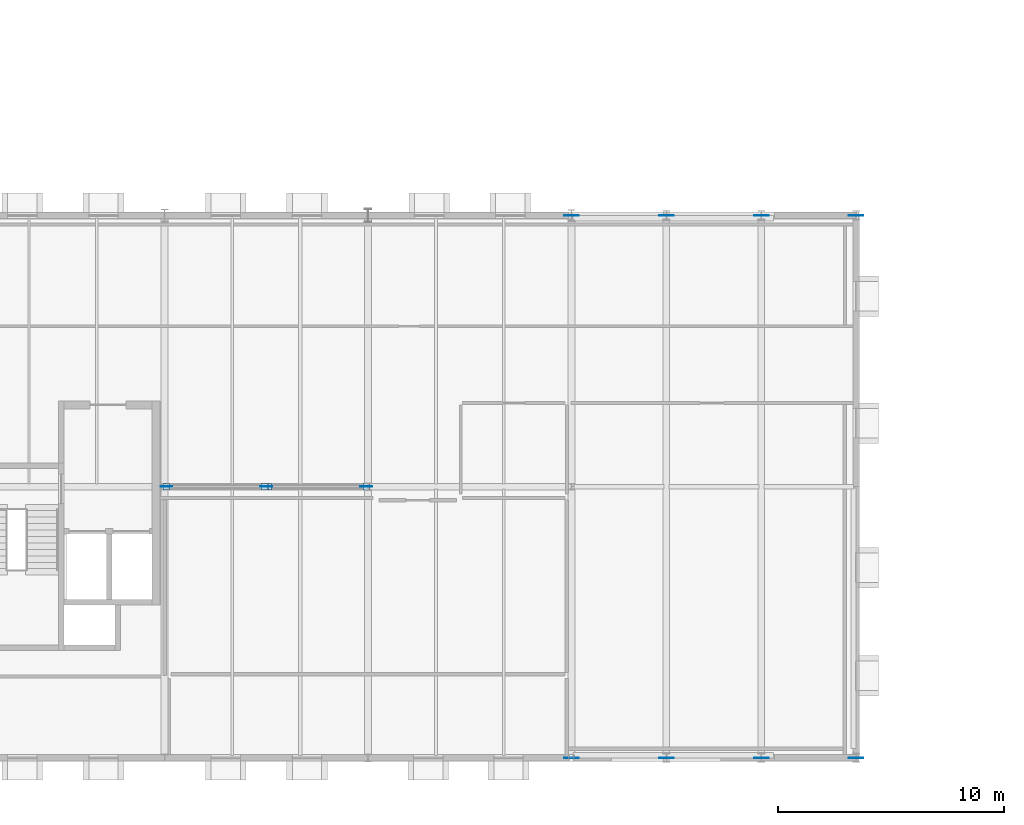
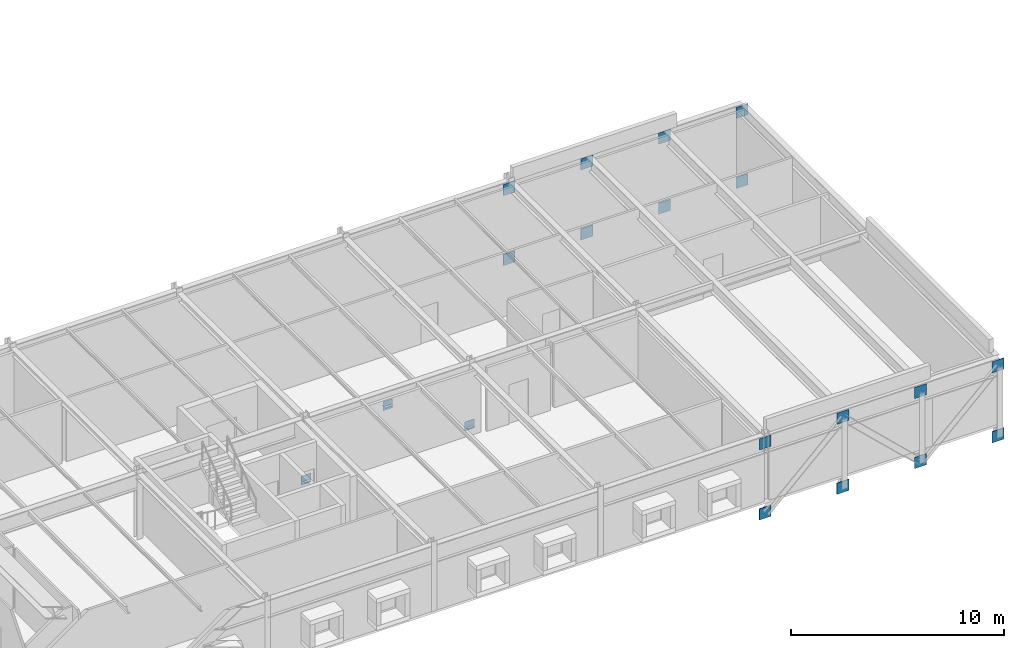
# One storey, part 20 of 36: 23 plates.
"""IFC4 building model written with IfcOpenShell, lengths in metres."""

from ifc_helpers import new_model, si_unit, direction, frame, origin, origin_2d, place, context, subcontext, project, spatial, rectangle, extrude, material, layer, layer_set, type_object, element, save


model = new_model("IFC4")

# Units and contexts
model_context = context("Model", 3, precision=1e-05, world=origin(), true_north=direction((0.0, 1.0)))
body_context = subcontext(model_context, "Body", "Model", "MODEL_VIEW")
ifc_project = project(units=[si_unit("LENGTHUNIT", "METRE"), si_unit("AREAUNIT", "SQUARE_METRE"), si_unit("VOLUMEUNIT", "CUBIC_METRE"), si_unit("PLANEANGLEUNIT", "RADIAN"), si_unit("MASSUNIT", "GRAM", prefix="KILO")], contexts=[model_context])

# Site, building, storey
site_placement = place(None, origin())
site = spatial("IfcSite", under=ifc_project, at=site_placement, CompositionType="ELEMENT")
building_placement = place(site_placement, origin())
building = spatial("IfcBuilding", under=site, at=building_placement, Name="Montelvaro Courts of Justice", CompositionType="ELEMENT")
storey_placement = place(building_placement, frame((0.0, 0.0, 23.39990234375)))
storey = spatial("IfcBuildingStorey", under=building, at=storey_placement, Name="L05", CompositionType="ELEMENT", Elevation=23.39990234375)

# Plates
ifc_material = material(Name="Steel S355", Category="steel")
ifc_layer_1 = layer(ifc_material, 0.011962890625)
ifc_layer_set_1 = layer_set([ifc_layer_1], Name="Steel S355")
plate_type_1 = type_object("IfcPlateType", Name="EndCapPlate_12", PredefinedType="USERDEFINED", material=ifc_layer_set_1)
for number, where, z_axis, x_axis, name in (
    (1, (117.080078125, 12.0, 0.07421875), (0.0, 0.0, 1.0), (1.0, 0.0, 0.0), "Brace End Cap Plate CP-01 CBF2-L05-1A"),
    (2, (121.419921875, 12.0, 2.82421875), (0.0, 0.0, 1.0), (1.0, 0.0, 0.0), "Brace End Cap Plate CP-01 CBF2-L05-1B"),
    (3, (125.919921875, 12.0, 0.07421875), (0.0, 0.0, 1.0), (1.0, 0.0, 0.0), "Brace End Cap Plate CP-01 CBF2-L05-2A"),
    (4, (121.580078125, 12.0, 2.82421875), (0.0, 0.0, 1.0), (1.0, 0.0, 0.0), "Brace End Cap Plate CP-01 CBF2-L05-2B"),
):
    element("IfcPlate", number, at=place(storey_placement, frame(where, z_axis=z_axis, x_axis=x_axis)), inside=storey, type_object=plate_type_1, Name=name, ObjectType="GUSSET PLATE", PredefinedType="USERDEFINED", context=body_context, shape_type="SweptSolid", body=[
        extrude(rectangle(XDim=0.300048828125, YDim=0.300048828125, at=origin_2d()), origin(), (0.0, 0.0, 1.0), 0.011962890625),
    ])
ifc_layer_2 = layer(ifc_material, 0.02001953125)
ifc_layer_set_2 = layer_set([ifc_layer_2], Name="Steel S355")
plate_type_2 = type_object("IfcPlateType", Name="GussetPlate_20", PredefinedType="USERDEFINED", material=ifc_layer_set_2)
for number, where, z_axis, x_axis, name in (
    (5, (117.080078125, 12.0, -0.099853515625), (0.0, 0.0, 1.0), (1.0, 0.0, 0.0), "Chevron Brace Base Gusset Plate GP-01 CBF2-L05-B1"),
    (6, (125.919921875, 12.0, -0.099853515625), (0.0, 0.0, 1.0), (1.0, 0.0, 0.0), "Chevron Brace Base Gusset Plate GP-01 CBF2-L05-B2"),
    (7, (121.5, 12.0, 2.610107421875), (0.0, 0.0, 1.0), (1.0, 0.0, 0.0), "Chevron Brace Gusset Plate GP-01 CBF2-L05"),
):
    element("IfcPlate", number, at=place(storey_placement, frame(where, z_axis=z_axis, x_axis=x_axis)), inside=storey, type_object=plate_type_2, Name=name, ObjectType="GUSSET PLATE", PredefinedType="USERDEFINED", context=body_context, shape_type="SweptSolid", body=[
        extrude(rectangle(XDim=0.52001953125, YDim=0.02001953125, at=origin_2d()), origin(), (0.0, 0.0, 1.0), 0.52001953125),
    ])
ifc_layer_3 = layer(ifc_material, 0.028076171875)
ifc_layer_set_3 = layer_set([ifc_layer_3], Name="Steel S355")
plate_type_3 = type_object("IfcPlateType", Name="GussetPlate_28", PredefinedType="USERDEFINED", material=ifc_layer_set_3)
for number, where, z_axis, x_axis, name in (
    (8, (135.0, 0.0, -1.06396484375), (0.0, 0.0, 1.0), (1.0, 0.0, 0.0), "Pratt Truss Gusset Plate GP-02 CTR-BAR2-S-L05-0B"),
    (9, (135.0, 0.0, 2.93603515625), (0.0, 0.0, 1.0), (1.0, 0.0, 0.0), "Pratt Truss Gusset Plate GP-02 CTR-BAR2-S-L05-0T"),
    (10, (139.199951171875, 0.0, -1.06396484375), (0.0, 0.0, 1.0), (1.0, 0.0, 0.0), "Pratt Truss Gusset Plate GP-02 CTR-BAR2-S-L05-1B"),
    (11, (139.199951171875, 0.0, 2.93603515625), (0.0, 0.0, 1.0), (1.0, 0.0, 0.0), "Pratt Truss Gusset Plate GP-02 CTR-BAR2-S-L05-1T"),
    (12, (143.39990234375, 0.0, -1.06396484375), (0.0, 0.0, 1.0), (1.0, 0.0, 0.0), "Pratt Truss Gusset Plate GP-02 CTR-BAR2-S-L05-2B"),
    (13, (143.39990234375, 0.0, 2.93603515625), (0.0, 0.0, 1.0), (1.0, 0.0, 0.0), "Pratt Truss Gusset Plate GP-02 CTR-BAR2-S-L05-2T"),
    (14, (147.60009765625, 0.0, -1.06396484375), (0.0, 0.0, 1.0), (1.0, 0.0, 0.0), "Pratt Truss Gusset Plate GP-02 CTR-BAR2-S-L05-3B"),
    (15, (147.60009765625, 0.0, 2.93603515625), (0.0, 0.0, 1.0), (1.0, 0.0, 0.0), "Pratt Truss Gusset Plate GP-02 CTR-BAR2-S-L05-3T"),
    (16, (135.0, 24.0, -1.06396484375), (0.0, 0.0, 1.0), (1.0, 0.0, 0.0), "Pratt Truss Gusset Plate GP-02 CTR-BAR2-N-L05-0B"),
    (17, (135.0, 24.0, 2.93603515625), (0.0, 0.0, 1.0), (1.0, 0.0, 0.0), "Pratt Truss Gusset Plate GP-02 CTR-BAR2-N-L05-0T"),
    (18, (139.199951171875, 24.0, -1.06396484375), (0.0, 0.0, 1.0), (1.0, 0.0, 0.0), "Pratt Truss Gusset Plate GP-02 CTR-BAR2-N-L05-1B"),
    (19, (139.199951171875, 24.0, 2.93603515625), (0.0, 0.0, 1.0), (1.0, 0.0, 0.0), "Pratt Truss Gusset Plate GP-02 CTR-BAR2-N-L05-1T"),
    (20, (143.39990234375, 24.0, -1.06396484375), (0.0, 0.0, 1.0), (1.0, 0.0, 0.0), "Pratt Truss Gusset Plate GP-02 CTR-BAR2-N-L05-2B"),
    (21, (143.39990234375, 24.0, 2.93603515625), (0.0, 0.0, 1.0), (1.0, 0.0, 0.0), "Pratt Truss Gusset Plate GP-02 CTR-BAR2-N-L05-2T"),
    (22, (147.60009765625, 24.0, -1.06396484375), (0.0, 0.0, 1.0), (1.0, 0.0, 0.0), "Pratt Truss Gusset Plate GP-02 CTR-BAR2-N-L05-3B"),
    (23, (147.60009765625, 24.0, 2.93603515625), (0.0, 0.0, 1.0), (1.0, 0.0, 0.0), "Pratt Truss Gusset Plate GP-02 CTR-BAR2-N-L05-3T"),
):
    element("IfcPlate", number, at=place(storey_placement, frame(where, z_axis=z_axis, x_axis=x_axis)), inside=storey, type_object=plate_type_3, Name=name, ObjectType="GUSSET PLATE", PredefinedType="USERDEFINED", context=body_context, shape_type="SweptSolid", body=[
        extrude(rectangle(XDim=0.639892578125, YDim=0.028076171875, at=origin_2d()), origin(), (0.0, 0.0, 1.0), 0.639892578125),
    ])

save(model, "model.ifc")
